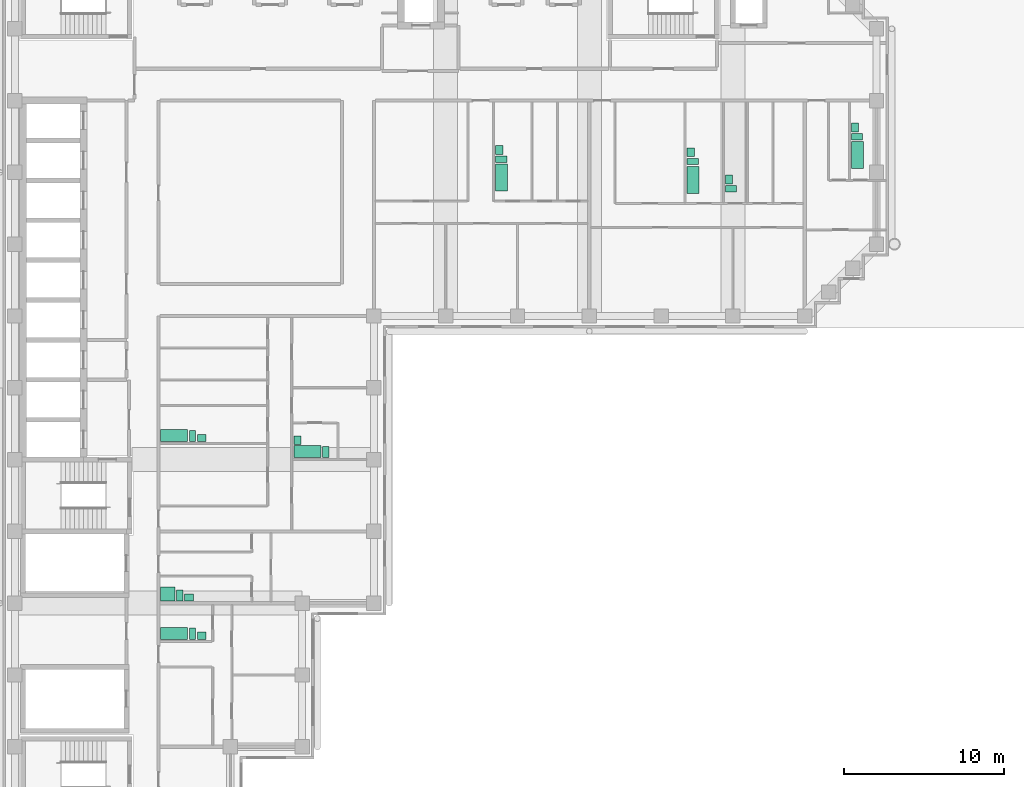
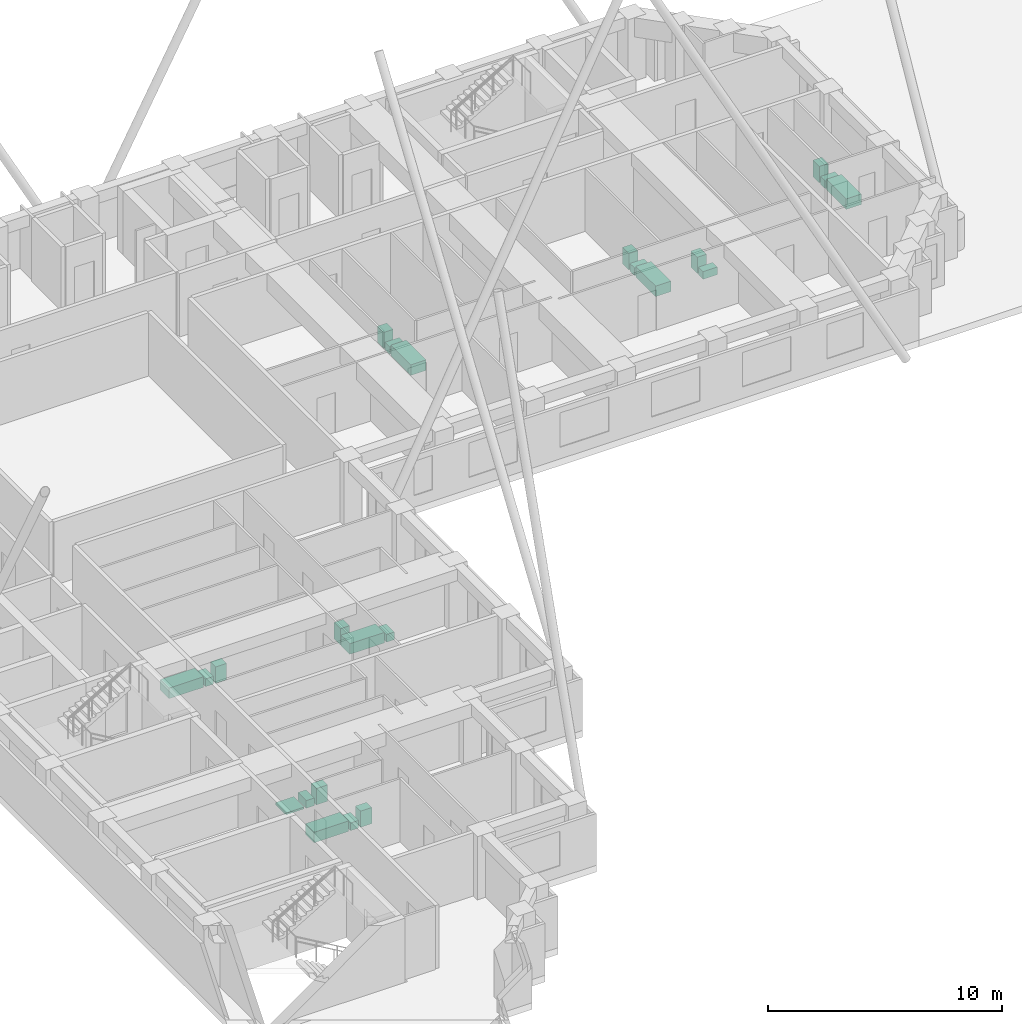
# One storey, part 11 of 11: 23 sanitary terminals.
"""IFC4 building model written with IfcOpenShell, lengths in metres."""

from ifc_helpers import new_model, si_unit, direction, frame, origin, origin_2d, place, context, subcontext, project, spatial, rectangle, extrude, material, type_object, element, save


model = new_model("IFC4")

# Units and contexts
model_context = context("Model", 3, precision=1e-05, world=origin(), true_north=direction((0.0, 1.0)))
body_context = subcontext(model_context, "Body", "Model", "MODEL_VIEW")
ifc_project = project(units=[si_unit("LENGTHUNIT", "METRE"), si_unit("AREAUNIT", "SQUARE_METRE"), si_unit("VOLUMEUNIT", "CUBIC_METRE"), si_unit("PLANEANGLEUNIT", "RADIAN"), si_unit("MASSUNIT", "GRAM", prefix="KILO")], contexts=[model_context])

# Site, building, storey
site_placement = place(None, origin())
site = spatial("IfcSite", under=ifc_project, at=site_placement, CompositionType="ELEMENT")
building_placement = place(site_placement, origin())
building = spatial("IfcBuilding", under=site, at=building_placement, Name="Firuza Court", CompositionType="ELEMENT")
storey_placement = place(building_placement, frame((0.0, 0.0, 186.199951171875)))
storey = spatial("IfcBuildingStorey", under=building, at=storey_placement, Name="L47", CompositionType="ELEMENT", Elevation=186.199951171875)

# Sanitary terminals
ifc_material_1 = material(Name="Vitreous china", Category="ceramic")
sanitary_terminal_type_1 = type_object("IfcSanitaryTerminalType", Name="Fixture Bath", PredefinedType="BATH", material=ifc_material_1)
for number, where, z_axis, x_axis, name in (
    (1, (30.5048828125, 44.679931640625, 0.0), (0.0, 0.0, 1.0), (1.0, 0.0, 0.0), "Bath"),
    (2, (42.5048828125, 44.530029296875, 0.0), (0.0, 0.0, 1.0), (1.0, 0.0, 0.0), "Bath"),
    (3, (52.804931640625, 46.080078125, 0.0), (0.0, 0.0, 1.0), (1.0, 0.0, 0.0), "Bath"),
):
    element("IfcSanitaryTerminal", number, at=place(storey_placement, frame(where, z_axis=z_axis, x_axis=x_axis)), inside=storey, type_object=sanitary_terminal_type_1, Name=name, PredefinedType="BATH", context=body_context, shape_type="SweptSolid", body=[
        extrude(rectangle(XDim=0.75, YDim=1.699951171875, at=origin_2d()), origin(), (0.0, 0.0, 1.0), 0.550048828125),
    ])
for number, where, z_axis, x_axis, name in (
    (4, (9.97998046875, 28.5048828125, 0.0), (0.0, 0.0, 1.0), (1.0, 0.0, 0.0), "Bath"),
    (5, (18.330078125, 27.5048828125, 0.0), (0.0, 0.0, 1.0), (1.0, 0.0, 0.0), "Bath"),
    (6, (9.97998046875, 16.10498046875, 0.0), (0.0, 0.0, 1.0), (1.0, 0.0, 0.0), "Bath"),
):
    element("IfcSanitaryTerminal", number, at=place(storey_placement, frame(where, z_axis=z_axis, x_axis=x_axis)), inside=storey, type_object=sanitary_terminal_type_1, Name=name, PredefinedType="BATH", context=body_context, shape_type="SweptSolid", body=[
        extrude(rectangle(XDim=1.699951171875, YDim=0.75, at=origin_2d()), origin(), (0.0, 0.0, 1.0), 0.550048828125),
    ])
ifc_material_2 = material(Name="Vitreous china", Category="ceramic")
sanitary_terminal_type_2 = type_object("IfcSanitaryTerminalType", Name="Fixture Shower tray", PredefinedType="SHOWER", material=ifc_material_2)
sanitary_terminal_1_placement = place(storey_placement, frame((9.580078125, 18.580078125, 0.0), z_axis=(0.0, 0.0, 1.0), x_axis=(1.0, 0.0, 0.0)))
element("IfcSanitaryTerminal", 7, at=sanitary_terminal_1_placement, inside=storey, type_object=sanitary_terminal_type_2, Name="Shower tray", PredefinedType="SHOWER", context=body_context, shape_type="SweptSolid", body=[
    extrude(rectangle(XDim=0.89990234375, YDim=0.89990234375, at=origin_2d()), origin(), (0.0, 0.0, 1.0), 0.10009765625),
])
ifc_material_3 = material(Name="Vitreous china", Category="ceramic")
sanitary_terminal_type_3 = type_object("IfcSanitaryTerminalType", Name="Fixture WC pan", PredefinedType="TOILETPAN", material=ifc_material_3)
for number, where, z_axis, x_axis, name in (
    (8, (30.47998046875, 45.830078125, 0.0), (0.0, 0.0, 1.0), (1.0, 0.0, 0.0), "WC pan"),
    (9, (42.47998046875, 45.679931640625, 0.0), (0.0, 0.0, 1.0), (1.0, 0.0, 0.0), "WC pan"),
    (10, (44.8798828125, 43.97998046875, 0.0), (0.0, 0.0, 1.0), (1.0, 0.0, 0.0), "WC pan"),
    (11, (52.780029296875, 47.22998046875, 0.0), (0.0, 0.0, 1.0), (1.0, 0.0, 0.0), "WC pan"),
):
    element("IfcSanitaryTerminal", number, at=place(storey_placement, frame(where, z_axis=z_axis, x_axis=x_axis)), inside=storey, type_object=sanitary_terminal_type_3, Name=name, PredefinedType="TOILETPAN", context=body_context, shape_type="SweptSolid", body=[
        extrude(rectangle(XDim=0.699951171875, YDim=0.39990234375, at=origin_2d()), origin(), (0.0, 0.0, 1.0), 0.39990234375),
    ])
for number, where, z_axis, x_axis, name in (
    (12, (11.1298828125, 28.47998046875, 0.0), (0.0, 0.0, 1.0), (1.0, 0.0, 0.0), "WC pan"),
    (13, (19.47998046875, 27.47998046875, 0.0), (0.0, 0.0, 1.0), (1.0, 0.0, 0.0), "WC pan"),
    (14, (10.330078125, 18.47998046875, 0.0), (0.0, 0.0, 1.0), (1.0, 0.0, 0.0), "WC pan"),
    (15, (11.1298828125, 16.080078125, 0.0), (0.0, 0.0, 1.0), (1.0, 0.0, 0.0), "WC pan"),
):
    element("IfcSanitaryTerminal", number, at=place(storey_placement, frame(where, z_axis=z_axis, x_axis=x_axis)), inside=storey, type_object=sanitary_terminal_type_3, Name=name, PredefinedType="TOILETPAN", context=body_context, shape_type="SweptSolid", body=[
        extrude(rectangle(XDim=0.39990234375, YDim=0.699951171875, at=origin_2d()), origin(), (0.0, 0.0, 1.0), 0.39990234375),
    ])
ifc_material_4 = material(Name="Vitreous china", Category="ceramic")
sanitary_terminal_type_4 = type_object("IfcSanitaryTerminalType", Name="Fixture Washbasin", PredefinedType="WASHHANDBASIN", material=ifc_material_4)
for number, where, z_axis, x_axis, name in (
    (16, (30.35498046875, 46.405029296875, 0.0), (0.0, 0.0, 1.0), (1.0, 0.0, 0.0), "Washbasin"),
    (17, (42.35498046875, 46.2548828125, 0.0), (0.0, 0.0, 1.0), (1.0, 0.0, 0.0), "Washbasin"),
    (18, (44.7548828125, 44.554931640625, 0.0), (0.0, 0.0, 1.0), (1.0, 0.0, 0.0), "Washbasin"),
    (19, (52.655029296875, 47.804931640625, 0.0), (0.0, 0.0, 1.0), (1.0, 0.0, 0.0), "Washbasin"),
):
    element("IfcSanitaryTerminal", number, at=place(storey_placement, frame(where, z_axis=z_axis, x_axis=x_axis)), inside=storey, type_object=sanitary_terminal_type_4, Name=name, PredefinedType="WASHHANDBASIN", context=body_context, shape_type="SweptSolid", body=[
        extrude(rectangle(XDim=0.449951171875, YDim=0.550048828125, at=origin_2d()), origin(), (0.0, 0.0, 1.0), 0.85009765625),
    ])
sanitary_terminal_2_placement = place(storey_placement, frame((11.705078125, 28.35498046875, 0.0), z_axis=(0.0, 0.0, 1.0), x_axis=(1.0, 0.0, 0.0)))
element("IfcSanitaryTerminal", 20, at=sanitary_terminal_2_placement, inside=storey, type_object=sanitary_terminal_type_4, Name="Washbasin", PredefinedType="WASHHANDBASIN", context=body_context, shape_type="SweptSolid", body=[
    extrude(rectangle(XDim=0.550048828125, YDim=0.449951171875, at=origin_2d()), origin(), (0.0, 0.0, 1.0), 0.85009765625),
])
sanitary_terminal_3_placement = place(storey_placement, frame((17.705078125, 28.205078125, 0.0), z_axis=(0.0, 0.0, 1.0), x_axis=(1.0, 0.0, 0.0)))
element("IfcSanitaryTerminal", 21, at=sanitary_terminal_3_placement, inside=storey, type_object=sanitary_terminal_type_4, Name="Washbasin", PredefinedType="WASHHANDBASIN", context=body_context, shape_type="SweptSolid", body=[
    extrude(rectangle(XDim=0.449951171875, YDim=0.550048828125, at=origin_2d()), origin(), (0.0, 0.0, 1.0), 0.85009765625),
])
for number, where, z_axis, x_axis, name in (
    (22, (10.905029296875, 18.35498046875, 0.0), (0.0, 0.0, 1.0), (1.0, 0.0, 0.0), "Washbasin"),
    (23, (11.705078125, 15.955078125, 0.0), (0.0, 0.0, 1.0), (1.0, 0.0, 0.0), "Washbasin"),
):
    element("IfcSanitaryTerminal", number, at=place(storey_placement, frame(where, z_axis=z_axis, x_axis=x_axis)), inside=storey, type_object=sanitary_terminal_type_4, Name=name, PredefinedType="WASHHANDBASIN", context=body_context, shape_type="SweptSolid", body=[
        extrude(rectangle(XDim=0.550048828125, YDim=0.449951171875, at=origin_2d()), origin(), (0.0, 0.0, 1.0), 0.85009765625),
    ])

save(model, "model.ifc")
